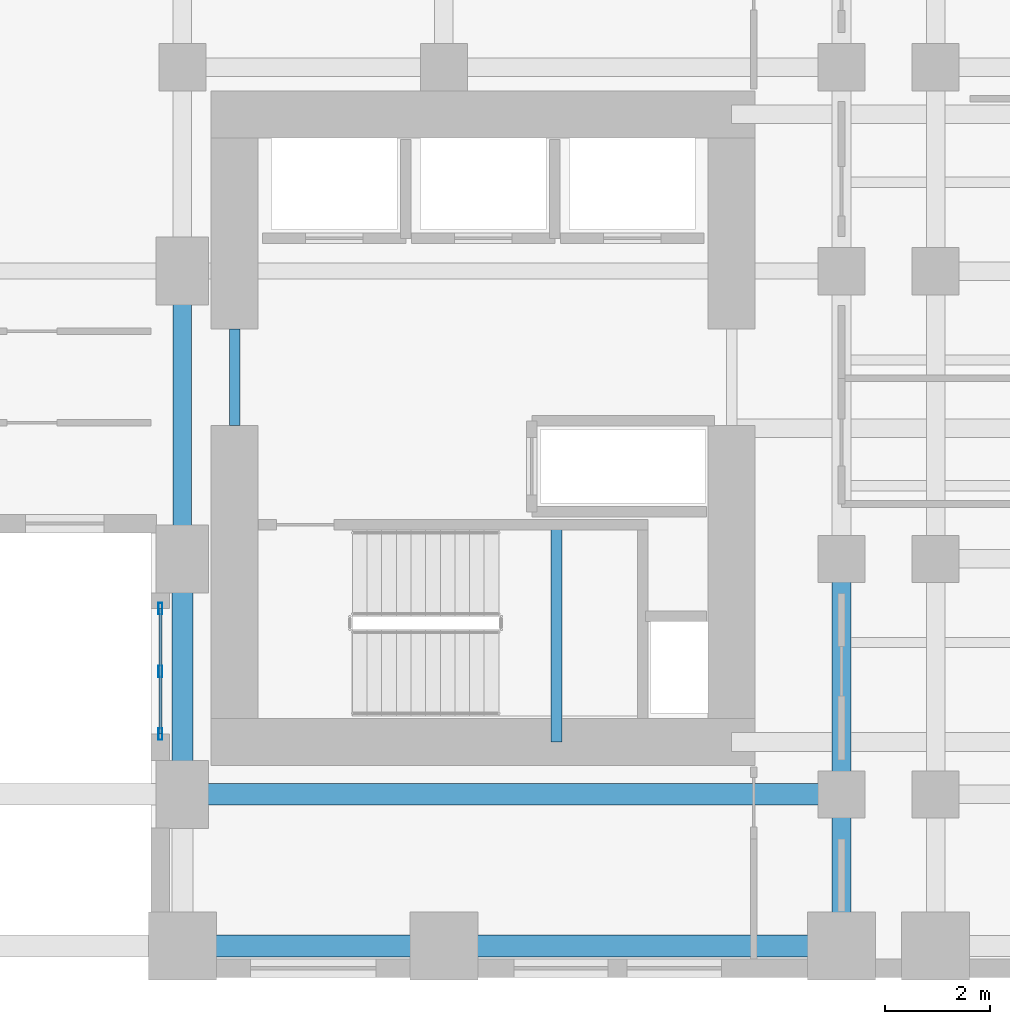
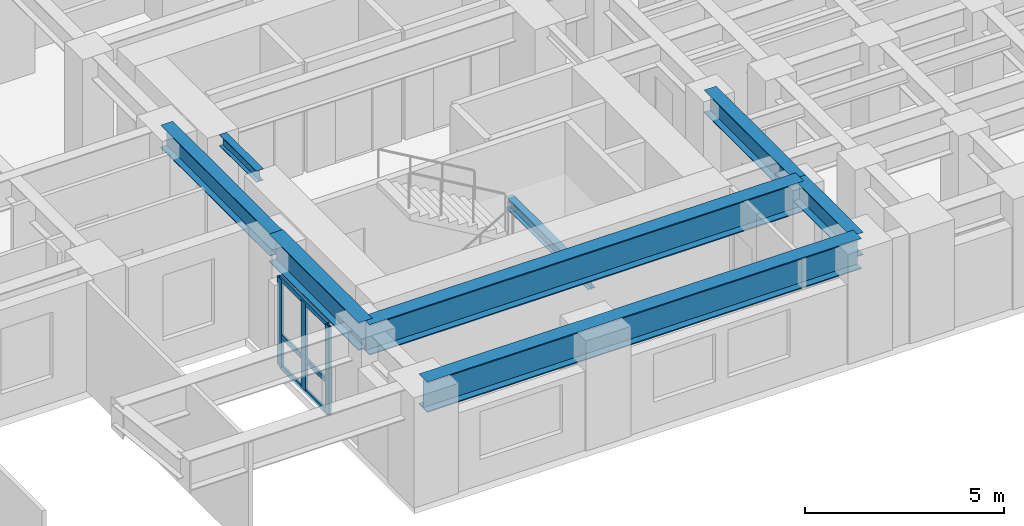
# One storey, part 3 of 14: 8 beams, 6 members, 1 element without a shape of its own.
"""IFC4 building model written with IfcOpenShell, lengths in metres."""

from ifc_helpers import new_model, si_unit, direction, frame, origin, origin_2d, place, context, subcontext, project, spatial, hollow_rectangle, i_section, extrude, source, transform, mapped, material, layer, layer_set, material_profile, profile_set, type_object, element, aggregate, save


model = new_model("IFC4")

# Units and contexts
model_context = context("Model", 3, precision=1e-05, world=origin(), true_north=direction((0.0, 1.0)))
body_context = subcontext(model_context, "Body", "Model", "MODEL_VIEW")
ifc_project = project(units=[si_unit("LENGTHUNIT", "METRE"), si_unit("AREAUNIT", "SQUARE_METRE"), si_unit("VOLUMEUNIT", "CUBIC_METRE"), si_unit("PLANEANGLEUNIT", "RADIAN"), si_unit("MASSUNIT", "GRAM", prefix="KILO")], contexts=[model_context])

# Site, building, storey
site_placement = place(None, origin())
site = spatial("IfcSite", under=ifc_project, at=site_placement, CompositionType="ELEMENT")
building_placement = place(site_placement, origin())
building = spatial("IfcBuilding", under=site, at=building_placement, Name="Kharzan Plaza Tower", CompositionType="ELEMENT")
storey_placement = place(building_placement, frame((0.0, 0.0, 29.699951171875)))
storey = spatial("IfcBuildingStorey", under=building, at=storey_placement, Name="L07", CompositionType="ELEMENT", Elevation=29.699951171875)

# Beams
ifc_material_1 = material(Name="Steel S355", Category="steel")
ifc_material_profile_1 = material_profile(ifc_material_1, i_section(OverallWidth=0.205078125, OverallDepth=0.35400390625, WebThickness=0.009521484375, FlangeThickness=0.016845703125, at=origin_2d()), Name="W360x79")
ifc_profile_set_1 = profile_set([ifc_material_profile_1], Name="Steel S355")
beam_type_1 = type_object("IfcBeamType", Name="BM-LNT360", PredefinedType="LINTEL", material=ifc_profile_set_1)
shared_shape_1 = source(origin(), body_context, "Body", "SweptSolid", [
    extrude(i_section(OverallWidth=0.205078125, OverallDepth=0.35400390625, WebThickness=0.009521484375, FlangeThickness=0.016845703125, at=origin_2d()), origin(), (0.0, 0.0, 1.0), 1.849853515625),
])
beam_1_placement = place(storey_placement, frame((36.0, 10.550048828125, 3.203125), z_axis=(0.0, 1.0, 0.0), x_axis=(-1.0, 0.0, 0.0)))
element("IfcBeam", 1, at=beam_1_placement, inside=storey, type_object=beam_type_1, Name="L07 CORE-B coupling lintel LN1-WW", PredefinedType="LINTEL", context=body_context, shape_type="MappedRepresentation", body=[
    mapped(shared_shape_1, transform((0.0, 0.0, 0.0), x_axis=(1.0, 0.0, 0.0), y_axis=(0.0, 1.0, 0.0), z_axis=(0.0, 0.0, 1.0))),
])
shared_shape_2 = source(origin(), body_context, "Body", "SweptSolid", [
    extrude(i_section(OverallWidth=0.205078125, OverallDepth=0.35400390625, WebThickness=0.009521484375, FlangeThickness=0.016845703125, at=origin_2d()), origin(), (0.0, 0.0, 1.0), 4.155029296875),
])
beam_2_placement = place(storey_placement, frame((42.14990234375, 4.5, 1.423095703125), z_axis=(0.0, 1.0, 0.0), x_axis=(-1.0, 0.0, 0.0)))
element("IfcBeam", 2, at=beam_2_placement, inside=storey, type_object=beam_type_1, Name="L07 Stair ST-3 Half-Landing Beam", PredefinedType="LINTEL", context=body_context, shape_type="MappedRepresentation", body=[
    mapped(shared_shape_2, transform((0.0, 0.0, 0.0), x_axis=(1.0, 0.0, 0.0), y_axis=(0.0, 1.0, 0.0), z_axis=(0.0, 0.0, 1.0))),
])
ifc_material_profile_2 = material_profile(ifc_material_1, i_section(OverallWidth=0.35498046875, OverallDepth=0.695068359375, WebThickness=0.015380859375, FlangeThickness=0.02490234375, at=origin_2d()), Name="W690x217")
ifc_profile_set_2 = profile_set([ifc_material_profile_2], Name="Steel S355")
beam_type_2 = type_object("IfcBeamType", Name="BM-FG690A", PredefinedType="BEAM", material=ifc_profile_set_2)
shared_shape_3 = source(origin(), body_context, "Body", "SweptSolid", [
    extrude(i_section(OverallWidth=0.35498046875, OverallDepth=0.695068359375, WebThickness=0.015380859375, FlangeThickness=0.02490234375, at=origin_2d()), origin(), (0.0, 0.0, 1.0), 4.5),
])
beam_3_placement = place(storey_placement, frame((47.60009765625, 3.5, 3.032470703125), z_axis=(0.0, 1.0, 0.0), x_axis=(-1.0, 0.0, 0.0)))
element("IfcBeam", 3, at=beam_3_placement, inside=storey, type_object=beam_type_2, Name="L07 Interior Frame Girder", PredefinedType="BEAM", context=body_context, shape_type="MappedRepresentation", body=[
    mapped(shared_shape_3, transform((0.0, 0.0, 0.0), x_axis=(1.0, 0.0, 0.0), y_axis=(0.0, 1.0, 0.0), z_axis=(0.0, 0.0, 1.0))),
])
shared_shape_4 = source(origin(), body_context, "Body", "SweptSolid", [
    extrude(i_section(OverallWidth=0.35498046875, OverallDepth=0.695068359375, WebThickness=0.015380859375, FlangeThickness=0.02490234375, at=origin_2d()), origin(), (0.0, 0.0, 1.0), 5.5),
])
beam_4_placement = place(storey_placement, frame((35.0, 8.0, 3.032470703125), z_axis=(0.0, 1.0, 0.0), x_axis=(-1.0, 0.0, 0.0)))
element("IfcBeam", 4, at=beam_4_placement, inside=storey, type_object=beam_type_2, Name="L07 Interior Frame Girder", PredefinedType="BEAM", context=body_context, shape_type="MappedRepresentation", body=[
    mapped(shared_shape_4, transform((0.0, 0.0, 0.0), x_axis=(1.0, 0.0, 0.0), y_axis=(0.0, 1.0, 0.0), z_axis=(0.0, 0.0, 1.0))),
])
shared_shape_5 = source(origin(), body_context, "Body", "SweptSolid", [
    extrude(i_section(OverallWidth=0.35498046875, OverallDepth=0.695068359375, WebThickness=0.015380859375, FlangeThickness=0.02490234375, at=origin_2d()), origin(), (0.0, 0.0, 1.0), 2.89990234375),
])
beam_5_placement = place(storey_placement, frame((47.60009765625, 0.60009765625, 3.032470703125), z_axis=(0.0, 1.0, 0.0), x_axis=(-1.0, 0.0, 0.0)))
element("IfcBeam", 5, at=beam_5_placement, inside=storey, type_object=beam_type_2, Name="L07 Interior Frame Girder", PredefinedType="BEAM", context=body_context, shape_type="MappedRepresentation", body=[
    mapped(shared_shape_5, transform((0.0, 0.0, 0.0), x_axis=(1.0, 0.0, 0.0), y_axis=(0.0, 1.0, 0.0), z_axis=(0.0, 0.0, 1.0))),
])
ifc_material_profile_3 = material_profile(ifc_material_1, i_section(OverallWidth=0.40087890625, OverallDepth=0.85498046875, WebThickness=0.018310546875, FlangeThickness=0.029296875, at=origin_2d()), Name="W840x299")
ifc_profile_set_3 = profile_set([ifc_material_profile_3], Name="Steel S355")
beam_type_3 = type_object("IfcBeamType", Name="BM-SP840A", PredefinedType="SPANDREL", material=ifc_profile_set_3)
shared_shape_6 = source(origin(), body_context, "Body", "SweptSolid", [
    extrude(i_section(OverallWidth=0.40087890625, OverallDepth=0.85498046875, WebThickness=0.018310546875, FlangeThickness=0.029296875, at=origin_2d()), origin(), (0.0, 0.0, 1.0), 4.5),
])
beam_6_placement = place(storey_placement, frame((35.0, 3.5, 2.95263671875), z_axis=(0.0, 1.0, 0.0), x_axis=(-1.0, 0.0, 0.0)))
element("IfcBeam", 6, at=beam_6_placement, inside=storey, type_object=beam_type_3, Name="L07 Perimeter Tube Spandrel", PredefinedType="SPANDREL", context=body_context, shape_type="MappedRepresentation", body=[
    mapped(shared_shape_6, transform((0.0, 0.0, 0.0), x_axis=(1.0, 0.0, 0.0), y_axis=(0.0, 1.0, 0.0), z_axis=(0.0, 0.0, 1.0))),
])

# Curtain wall, members
ifc_material_2 = material(Name="Unitised Bronze-Anodized Aluminium and Low-E Glass", Category="aluminium")
ifc_layer = layer(ifc_material_2, 0.199951171875)
ifc_layer_set = layer_set([ifc_layer], Name="Unitised Bronze-Anodized Aluminium and Low-E Glass")
curtain_wall_type = type_object("IfcCurtainWallType", Name="CW-SLOT-3", PredefinedType="NOTDEFINED", material=ifc_layer_set)
curtain_wall_placement = place(storey_placement, origin())
curtain_wall = element("IfcCurtainWall", 7, at=curtain_wall_placement, inside=storey, type_object=curtain_wall_type, Name="L07 East Slot Recessed Spine Curtain Wall", PredefinedType="NOTDEFINED")
ifc_material_3 = material(Name="Anodized Bronze Aluminium", Category="aluminium")
ifc_material_profile_4 = material_profile(ifc_material_3, hollow_rectangle(XDim=0.074951171875, YDim=0.219970703125, WallThickness=0.00390625, at=origin_2d()), Name="ALU-M220x75x4")
ifc_profile_set_4 = profile_set([ifc_material_profile_4], Name="Anodized Bronze Aluminium")
member_type_1 = type_object("IfcMemberType", Name="MEM-CW-MUL200", PredefinedType="MULLION", material=ifc_profile_set_4)
shared_shape_7 = source(origin(), body_context, "Body", "SweptSolid", [
    extrude(hollow_rectangle(XDim=0.074951171875, YDim=0.219970703125, WallThickness=0.00390625, at=origin_2d()), origin(), (0.0, 0.0, 1.0), 2.699951171875),
])
member_1_placement = place(storey_placement, frame((34.580078125, 4.64990234375, 0.0), z_axis=(0.0, 0.0, 1.0), x_axis=(1.0, 0.0, 0.0)))
member_1 = element("IfcMember", 8, at=member_1_placement, type_object=member_type_1, Name="L07 Curtain-Wall Mullion 00", PredefinedType="MULLION", context=body_context, shape_type="MappedRepresentation", body=[
    mapped(shared_shape_7, transform((0.0, 0.0, 0.0), x_axis=(1.0, 0.0, 0.0), y_axis=(0.0, 1.0, 0.0), z_axis=(0.0, 0.0, 1.0))),
])
member_2_placement = place(storey_placement, frame((34.580078125, 5.85009765625, 0.0), z_axis=(0.0, 0.0, 1.0), x_axis=(1.0, 0.0, 0.0)))
member_2 = element("IfcMember", 9, at=member_2_placement, type_object=member_type_1, Name="L07 Curtain-Wall Mullion 01", PredefinedType="MULLION", context=body_context, shape_type="MappedRepresentation", body=[
    mapped(shared_shape_7, transform((0.0, 0.0, 0.0), x_axis=(1.0, 0.0, 0.0), y_axis=(0.0, 1.0, 0.0), z_axis=(0.0, 0.0, 1.0))),
])
member_3_placement = place(storey_placement, frame((34.580078125, 7.050048828125, 0.0), z_axis=(0.0, 0.0, 1.0), x_axis=(1.0, 0.0, 0.0)))
member_3 = element("IfcMember", 10, at=member_3_placement, type_object=member_type_1, Name="L07 Curtain-Wall Mullion 02", PredefinedType="MULLION", context=body_context, shape_type="MappedRepresentation", body=[
    mapped(shared_shape_7, transform((0.0, 0.0, 0.0), x_axis=(1.0, 0.0, 0.0), y_axis=(0.0, 1.0, 0.0), z_axis=(0.0, 0.0, 1.0))),
])

# Beams
ifc_material_profile_5 = material_profile(ifc_material_1, i_section(OverallWidth=0.41796875, OverallDepth=0.93701171875, WebThickness=0.019287109375, FlangeThickness=0.031982421875, at=origin_2d()), Name="W920x342")
ifc_profile_set_5 = profile_set([ifc_material_profile_5], Name="Steel S355")
beam_type_4 = type_object("IfcBeamType", Name="BM-ZTB920", PredefinedType="BEAM", material=ifc_profile_set_5)
shared_shape_8 = source(origin(), body_context, "Body", "SweptSolid", [
    extrude(i_section(OverallWidth=0.41796875, OverallDepth=0.93701171875, WebThickness=0.019287109375, FlangeThickness=0.031982421875, at=origin_2d()), origin(), (0.0, 0.0, 1.0), 12.60009765625),
])
for number, where, z_axis, x_axis, name in (
    (11, (47.60009765625, 0.60009765625, 2.91162109375), (-1.0, 0.0, 0.0), (0.0, -1.0, 0.0), "L07 Sky-Terrace Back-Span Girder ZTB1 (L08 G1)"),
    (12, (47.60009765625, 3.5, 2.91162109375), (-1.0, 0.0, 0.0), (0.0, -1.0, 0.0), "L07 Sky-Terrace Back-Span Girder ZTB1 (L08 G2)"),
):
    element("IfcBeam", number, at=place(storey_placement, frame(where, z_axis=z_axis, x_axis=x_axis)), inside=storey, type_object=beam_type_4, Name=name, PredefinedType="BEAM", context=body_context, shape_type="MappedRepresentation", body=[
        mapped(shared_shape_8, transform((0.0, 0.0, 0.0), x_axis=(1.0, 0.0, 0.0), y_axis=(0.0, 1.0, 0.0), z_axis=(0.0, 0.0, 1.0))),
    ])

# Member
ifc_material_profile_6 = material_profile(ifc_material_3, hollow_rectangle(XDim=0.06005859375, YDim=0.14990234375, WallThickness=0.00341796875, at=origin_2d()), Name="ALU-T150x60x3.5")
ifc_profile_set_6 = profile_set([ifc_material_profile_6], Name="Anodized Bronze Aluminium")
member_type_2 = type_object("IfcMemberType", Name="MEM-CW-TRN150", PredefinedType="USERDEFINED", material=ifc_profile_set_6)
shared_shape_9 = source(origin(), body_context, "Body", "SweptSolid", [
    extrude(hollow_rectangle(XDim=0.06005859375, YDim=0.14990234375, WallThickness=0.00341796875, at=origin_2d()), origin(), (0.0, 0.0, 1.0), 2.400146484375),
])
member_4_placement = place(storey_placement, frame((34.580078125, 4.64990234375, 0.0), z_axis=(0.0, 1.0, 0.0), x_axis=(-1.0, 0.0, 0.0)))
member_4 = element("IfcMember", 13, at=member_4_placement, type_object=member_type_2, Name="L07 Curtain-Wall Transom 1", ObjectType="TRANSOM", PredefinedType="USERDEFINED", context=body_context, shape_type="MappedRepresentation", body=[
    mapped(shared_shape_9, transform((0.0, 0.0, 0.0), x_axis=(1.0, 0.0, 0.0), y_axis=(0.0, 1.0, 0.0), z_axis=(0.0, 0.0, 1.0))),
])

member_5_placement = place(storey_placement, frame((34.580078125, 4.64990234375, 0.949951171875), z_axis=(0.0, 1.0, 0.0), x_axis=(-1.0, 0.0, 0.0)))
member_5 = element("IfcMember", 14, at=member_5_placement, type_object=member_type_2, Name="L07 Curtain-Wall Transom 2", ObjectType="TRANSOM", PredefinedType="USERDEFINED", context=body_context, shape_type="MappedRepresentation", body=[
    mapped(shared_shape_9, transform((0.0, 0.0, 0.0), x_axis=(1.0, 0.0, 0.0), y_axis=(0.0, 1.0, 0.0), z_axis=(0.0, 0.0, 1.0))),
])

member_6_placement = place(storey_placement, frame((34.580078125, 4.64990234375, 2.699951171875), z_axis=(0.0, 1.0, 0.0), x_axis=(-1.0, 0.0, 0.0)))
member_6 = element("IfcMember", 15, at=member_6_placement, type_object=member_type_2, Name="L07 Curtain-Wall Transom 3", ObjectType="TRANSOM", PredefinedType="USERDEFINED", context=body_context, shape_type="MappedRepresentation", body=[
    mapped(shared_shape_9, transform((0.0, 0.0, 0.0), x_axis=(1.0, 0.0, 0.0), y_axis=(0.0, 1.0, 0.0), z_axis=(0.0, 0.0, 1.0))),
])

aggregate(curtain_wall, [member_1, member_2, member_3, member_4, member_5, member_6])

save(model, "model.ifc")
